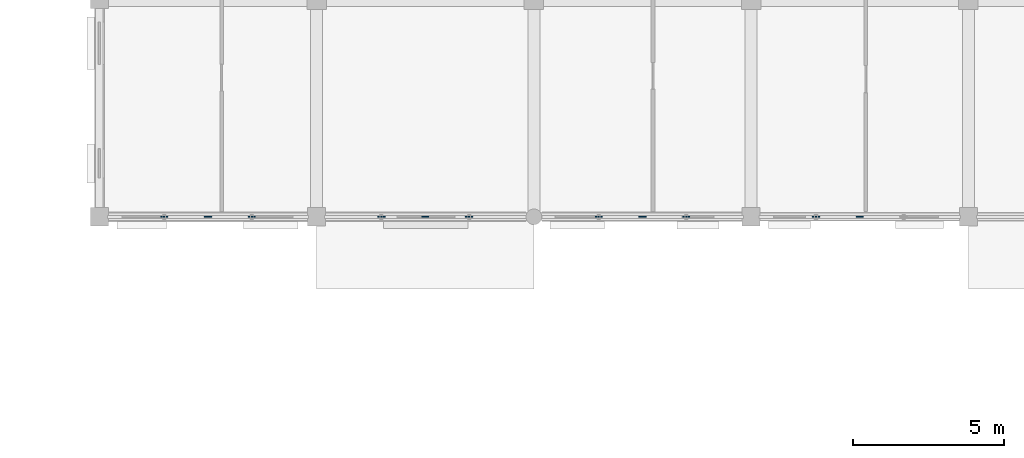
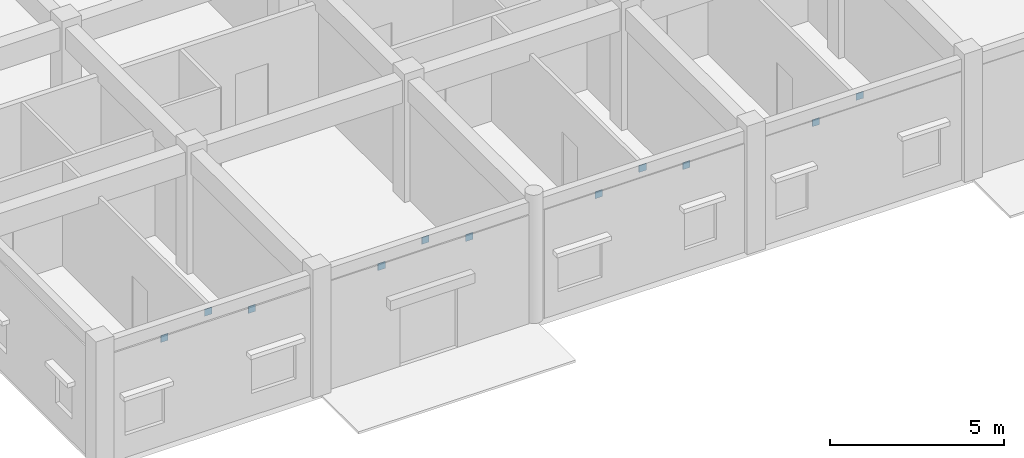
# One storey, part 89 of 138: 11 plates.
"""IFC4 building model written with IfcOpenShell, lengths in metres."""

from ifc_helpers import new_model, si_unit, direction, frame, origin, origin_2d, place, context, subcontext, project, spatial, rectangle, extrude, material, layer, layer_set, type_object, element, save


model = new_model("IFC4")

# Units and contexts
model_context = context("Model", 3, precision=1e-05, world=origin(), true_north=direction((0.0, 1.0)))
body_context = subcontext(model_context, "Body", "Model", "MODEL_VIEW")
ifc_project = project(units=[si_unit("LENGTHUNIT", "METRE"), si_unit("AREAUNIT", "SQUARE_METRE"), si_unit("VOLUMEUNIT", "CUBIC_METRE"), si_unit("PLANEANGLEUNIT", "RADIAN"), si_unit("MASSUNIT", "GRAM", prefix="KILO"), si_unit("THERMODYNAMICTEMPERATUREUNIT", "KELVIN"), si_unit("POWERUNIT", "WATT")], contexts=[model_context])

# Site, building, storey
site_placement = place(None, origin())
site = spatial("IfcSite", under=ifc_project, at=site_placement, CompositionType="ELEMENT")
building_placement = place(site_placement, origin())
building = spatial("IfcBuilding", under=site, at=building_placement, Name="Tavuni Mirador Residences", CompositionType="ELEMENT")
storey_placement = place(building_placement, origin())
storey = spatial("IfcBuildingStorey", under=building, at=storey_placement, Name="L00", CompositionType="ELEMENT", Elevation=0.0)

# Plates
ifc_material = material(Name="Structural steel S355", Category="steel")
ifc_layer = layer(ifc_material, 0.01806640625, Name="Structural steel S355", Category="steel")
ifc_layer_set = layer_set([ifc_layer], Name="Structural steel S355")
plate_type = type_object("IfcPlateType", Name="PLT-GP05", PredefinedType="USERDEFINED", material=ifc_layer_set)
for number, where, z_axis, x_axis, name in (
    (1, (12.947998046875, 144.0, 3.4921875), (0.0, 0.0, 1.0), (1.0, 0.0, 0.0), "ARCH-BLKC-S-00-GQ1"),
    (2, (14.39990234375, 144.0, 3.90478515625), (0.0, 0.0, 1.0), (1.0, 0.0, 0.0), "ARCH-BLKC-S-00-GCR"),
    (3, (15.85205078125, 144.0, 3.4921875), (0.0, 0.0, 1.0), (1.0, 0.0, 0.0), "ARCH-BLKC-S-00-GQ2"),
    (4, (20.14794921875, 144.0, 3.4921875), (0.0, 0.0, 1.0), (1.0, 0.0, 0.0), "ARCH-BLKC-S-01-GQ1"),
    (5, (21.60009765625, 144.0, 3.90478515625), (0.0, 0.0, 1.0), (1.0, 0.0, 0.0), "ARCH-BLKC-S-01-GCR"),
    (6, (23.052001953125, 144.0, 3.4921875), (0.0, 0.0, 1.0), (1.0, 0.0, 0.0), "ARCH-BLKC-S-01-GQ2"),
    (7, (27.347900390625, 144.0, 3.4921875), (0.0, 0.0, 1.0), (1.0, 0.0, 0.0), "ARCH-BLKC-S-02-GQ1"),
    (8, (28.800048828125, 144.0, 3.90478515625), (0.0, 0.0, 1.0), (1.0, 0.0, 0.0), "ARCH-BLKC-S-02-GCR"),
    (9, (30.251953125, 144.0, 3.4921875), (0.0, 0.0, 1.0), (1.0, 0.0, 0.0), "ARCH-BLKC-S-02-GQ2"),
    (10, (34.548095703125, 144.0, 3.4921875), (0.0, 0.0, 1.0), (1.0, 0.0, 0.0), "ARCH-BLKC-S-03-GQ1"),
    (11, (36.0, 144.0, 3.90478515625), (0.0, 0.0, 1.0), (1.0, 0.0, 0.0), "ARCH-BLKC-S-03-GCR"),
):
    element("IfcPlate", number, at=place(storey_placement, frame(where, z_axis=z_axis, x_axis=x_axis)), inside=storey, type_object=plate_type, Name=name, ObjectType="GUSSET PLATE", PredefinedType="USERDEFINED", context=body_context, shape_type="SweptSolid", body=[
        extrude(rectangle(XDim=0.239990234375, YDim=0.02001953125, at=origin_2d()), origin(), (0.0, 0.0, 1.0), 0.239990234375),
    ])

save(model, "model.ifc")
